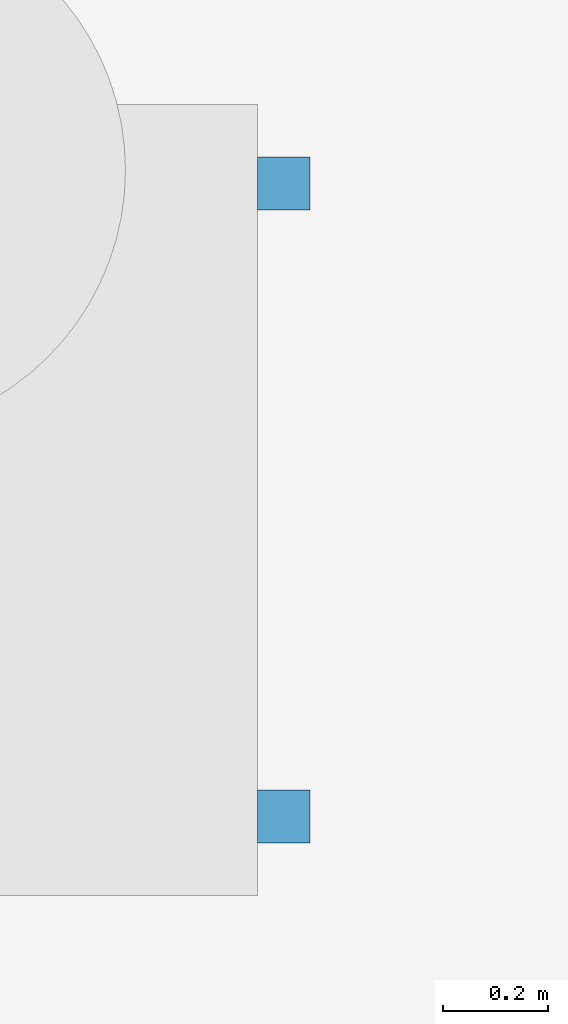
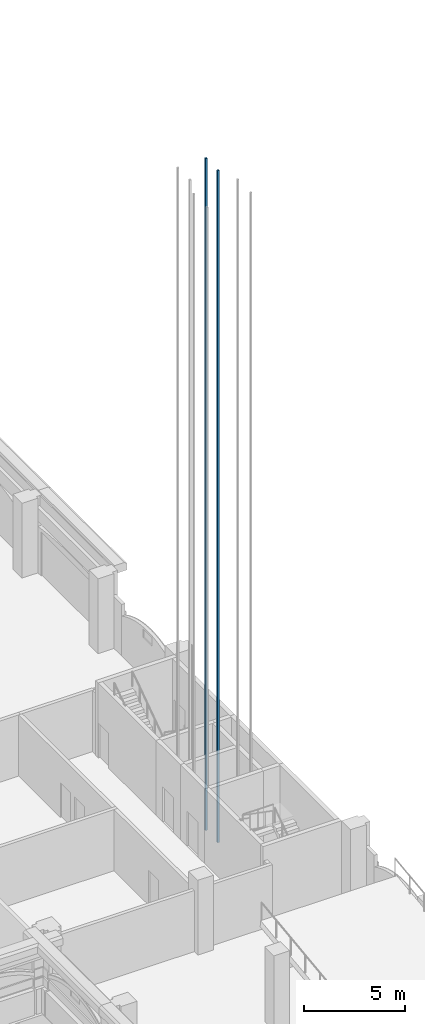
# One storey, part 56 of 99: 2 discrete accessories.
"""IFC4 building model written with IfcOpenShell, lengths in metres."""

import ifcopenshell
import ifcopenshell.guid

model = None  # the IFC model being written
_history = None  # IfcOwnerHistory: only IFC2X3 demands one
_inside = {}  # id of a spatial element -> (the spatial element, [elements in it])
_under = {}  # id of a project, library or spatial element -> (it, [spatial elements below it])
_declared = {}  # id of a project -> (the project, [libraries it declares])
_typed = {}  # id of a type object -> (the type object, [elements of that type])
_made_of = {}  # id of a material, layer set ... -> (it, [elements and type objects made of it])


def new_model(schema):
    """Start an empty IFC model of exactly this schema.

    Asked for "IFC4X3", IfcOpenShell would pick the latest addendum, in which some entities
    have other attributes; the version numbers below select the first issue.
    IFC2X3 requires an IfcOwnerHistory on every rooted entity: one is made here for all.
    """
    global model, _history
    if schema == "IFC4X3":
        model = ifcopenshell.file(schema_version=(4, 3, 0, 0))
    else:
        model = ifcopenshell.file(schema=schema)
    _inside.clear()
    _under.clear()
    _declared.clear()
    _typed.clear()
    _made_of.clear()
    _history = None
    if model.schema == "IFC2X3":
        org = make("IfcOrganization", Name="unknown")
        user = make(
            "IfcPersonAndOrganization",
            ThePerson=make("IfcPerson", FamilyName="unknown"),
            TheOrganization=org,
        )
        app = make(
            "IfcApplication",
            ApplicationDeveloper=org,
            Version="unknown",
            ApplicationFullName="unknown",
            ApplicationIdentifier="unknown",
        )
        _history = make(
            "IfcOwnerHistory",
            OwningUser=user,
            OwningApplication=app,
            ChangeAction="ADDED",
            CreationDate=0,
        )
    return model


def make(cls, **values):
    """One entity of the class cls with the attributes given. An attribute that is None is left unset."""
    return model.create_entity(
        cls, **{name: value for name, value in values.items() if value is not None}
    )


def rooted(cls, **values):
    """An entity with a GlobalId (a new one), such as an element, a storey or a relation."""
    return make(cls, GlobalId=ifcopenshell.guid.new(), OwnerHistory=_history, **values)


def si_unit(unit_type, name, prefix=None):
    """IfcSIUnit, for example si_unit("LENGTHUNIT", "METRE", prefix="MILLI")."""
    return make("IfcSIUnit", UnitType=unit_type, Prefix=prefix, Name=name)


def assignment(units):
    """IfcUnitAssignment: the units of a project."""
    return None if units is None else make("IfcUnitAssignment", Units=units)


def point(xyz):
    """IfcCartesianPoint."""
    return None if xyz is None else make("IfcCartesianPoint", Coordinates=xyz)


def direction(xyz):
    """IfcDirection."""
    return None if xyz is None else make("IfcDirection", DirectionRatios=xyz)


def frame(location, z_axis=None, x_axis=None):
    """IfcAxis2Placement3D, a coordinate frame: its origin and axes. An axis left out is left unset."""
    return make(
        "IfcAxis2Placement3D",
        Location=point(location),
        Axis=direction(z_axis),
        RefDirection=direction(x_axis),
    )


def frame_2d(location, x_axis=None):
    """IfcAxis2Placement2D, a coordinate frame in the plane: its origin and x axis."""
    return make(
        "IfcAxis2Placement2D", Location=point(location), RefDirection=direction(x_axis)
    )


def origin():
    """The frame at (0, 0, 0) with its axes left unset."""
    return frame((0.0, 0.0, 0.0))


def origin_2d():
    """The frame at (0, 0) in the plane with its x axis left unset."""
    return frame_2d((0.0, 0.0))


def place(relative_to, where):
    """IfcLocalPlacement: puts the frame where relative to a parent placement (None: the world)."""
    return make(
        "IfcLocalPlacement", PlacementRelTo=relative_to, RelativePlacement=where
    )


def context(
    kind, dimensions, precision=None, world=None, true_north=None, identifier=None
):
    """IfcGeometricRepresentationContext, for example the 3D "Model" context."""
    return make(
        "IfcGeometricRepresentationContext",
        ContextIdentifier=identifier,
        ContextType=kind,
        CoordinateSpaceDimension=dimensions,
        Precision=precision,
        WorldCoordinateSystem=world,
        TrueNorth=true_north,
    )


def subcontext(parent, identifier, kind, view, scale=None):
    """IfcGeometricRepresentationSubContext, for example "Body" below "Model"."""
    return make(
        "IfcGeometricRepresentationSubContext",
        ContextIdentifier=identifier,
        ContextType=kind,
        ParentContext=parent,
        TargetScale=scale,
        TargetView=view,
    )


def project(units=None, contexts=None):
    """IfcProject with its units and contexts."""
    return rooted(
        "IfcProject",
        Name="project",
        RepresentationContexts=contexts,
        UnitsInContext=assignment(units),
    )


def spatial(cls, under=None, at=None, **own):
    """A site, building, storey or space (cls), placed at a placement, below another one or the project."""
    s = rooted(cls, ObjectPlacement=at, **own)
    if under is not None:
        _under.setdefault(under.id(), (under, []))[1].append(s)
    return s


def profile(cls, at=None, kind="AREA", **sizes):
    """A parametric profile (cls). Its sizes go by their IFC names, for example OverallWidth=200.0."""
    return make(cls, ProfileType=kind, Position=at, **sizes)


def rectangle(**sizes):
    """IfcRectangleProfileDef."""
    return profile("IfcRectangleProfileDef", **sizes)


def extrude(swept, where, along, depth):
    """IfcExtrudedAreaSolid: the profile swept, set in the frame where, extruded along a direction by depth."""
    return make(
        "IfcExtrudedAreaSolid",
        SweptArea=swept,
        Position=where,
        ExtrudedDirection=direction(along),
        Depth=depth,
    )


def shape(context_of_items, identifier, shape_type, items):
    """IfcShapeRepresentation: the items that make up one representation, for example the "Body"."""
    return make(
        "IfcShapeRepresentation",
        ContextOfItems=context_of_items,
        RepresentationIdentifier=identifier,
        RepresentationType=shape_type,
        Items=items,
    )


def material(Name=None, Category=None):
    """IfcMaterial."""
    return make("IfcMaterial", Name=Name, Category=Category)


def made_of(thing, what):
    """Note that an element or type object is made of a material, layer set ...; save() writes the relation."""
    if what is not None:
        _made_of.setdefault(what.id(), (what, []))[1].append(thing)
    return thing


def type_object(cls, material=None, **own):
    """A type object (cls), such as IfcWallType, which elements share."""
    return made_of(rooted(cls, **own), material)


def element(
    cls,
    number,
    at=None,
    inside=None,
    cuts=None,
    type_object=None,
    material=None,
    context=None,
    identifier="Body",
    shape_type=None,
    held_by="IfcProductDefinitionShape",
    body=None,
    shapes=None,
    **own,
):
    """One element of the class cls, such as IfcWall. Its Tag is "e" and its number.

    at: its placement. inside: the storey or other place that contains it. cuts: it is an
    opening in that element (IfcRelVoidsElement). A single representation is given by context,
    identifier, shape_type and body (its items); several are given by shapes. held_by: the class
    of the entity that holds the representations. save() writes the other relations.
    """
    e = rooted(cls, Tag="e%d" % number, ObjectPlacement=at, **own)
    if body is not None:
        shapes = [shape(context, identifier, shape_type, body)]
    if shapes is not None:
        e.Representation = make(held_by, Representations=shapes)
    if inside is not None:
        _inside.setdefault(inside.id(), (inside, []))[1].append(e)
    if cuts is not None:
        rooted(
            "IfcRelVoidsElement", RelatingBuildingElement=cuts, RelatedOpeningElement=e
        )
    if type_object is not None:
        _typed.setdefault(type_object.id(), (type_object, []))[1].append(e)
    return made_of(e, material)


def aggregate(whole, parts):
    """IfcRelAggregates: a whole, such as a stair, and the parts it consists of."""
    return rooted("IfcRelAggregates", RelatingObject=whole, RelatedObjects=parts)


def save(model, path):
    """Write the relations noted so far, then the file.

    IfcRelAggregates (storeys below a building ...), IfcRelContainedInSpatialStructure (elements
    in a storey), IfcRelDefinesByType, IfcRelAssociatesMaterial and IfcRelDeclares: one each for
    every whole, place, type object, material and project.
    """
    for whole, parts in _under.values():
        aggregate(whole, parts)
    for where, things in _inside.values():
        rooted(
            "IfcRelContainedInSpatialStructure",
            RelatedElements=things,
            RelatingStructure=where,
        )
    for kind, things in _typed.values():
        rooted("IfcRelDefinesByType", RelatedObjects=things, RelatingType=kind)
    for what, things in _made_of.values():
        rooted("IfcRelAssociatesMaterial", RelatedObjects=things, RelatingMaterial=what)
    for by, libraries in _declared.values():
        rooted("IfcRelDeclares", RelatingContext=by, RelatedDefinitions=libraries)
    model.write(path)


model = new_model("IFC4")

# Units and contexts
model_context = context("Model", 3, precision=1e-05, world=origin(), true_north=direction((0.0, 1.0)))
body_context = subcontext(model_context, "Body", "Model", "MODEL_VIEW")
ifc_project = project(units=[si_unit("LENGTHUNIT", "METRE"), si_unit("AREAUNIT", "SQUARE_METRE"), si_unit("VOLUMEUNIT", "CUBIC_METRE"), si_unit("PLANEANGLEUNIT", "RADIAN"), si_unit("MASSUNIT", "GRAM", prefix="KILO")], contexts=[model_context])

# Site, building, storey
site_placement = place(None, origin())
site = spatial("IfcSite", under=ifc_project, at=site_placement, CompositionType="ELEMENT")
building_placement = place(site_placement, origin())
building = spatial("IfcBuilding", under=site, at=building_placement, Name="Cour d'Honneur Mobility Palace", CompositionType="ELEMENT")
storey_placement = place(building_placement, origin())
storey = spatial("IfcBuildingStorey", under=building, at=storey_placement, Name="L00", CompositionType="ELEMENT", Elevation=0.0)

# Discrete accessories
ifc_material = material(Name="Steel S355", Category="steel")
discrete_accessory_type = type_object("IfcDiscreteAccessoryType", Name="Lift guide rail", PredefinedType="USERDEFINED", material=ifc_material)
for number, where, z_axis, x_axis, name in (
    (1, (159.875, 54.199951171875, -1.39990234375), (0.0, 0.0, 1.0), (1.0, 0.0, 0.0), "Guide rail LF-CE2"),
    (2, (159.875, 55.39990234375, -1.39990234375), (0.0, 0.0, 1.0), (1.0, 0.0, 0.0), "Guide rail LF-CE2"),
):
    element("IfcDiscreteAccessory", number, at=place(storey_placement, frame(where, z_axis=z_axis, x_axis=x_axis)), inside=storey, type_object=discrete_accessory_type, Name=name, ObjectType="GUIDE RAIL", PredefinedType="USERDEFINED", context=body_context, shape_type="SweptSolid", body=[
        extrude(rectangle(XDim=0.10009765625, YDim=0.10009765625, at=origin_2d()), origin(), (0.0, 0.0, 1.0), 40.449951171875),
    ])

save(model, "model.ifc")
